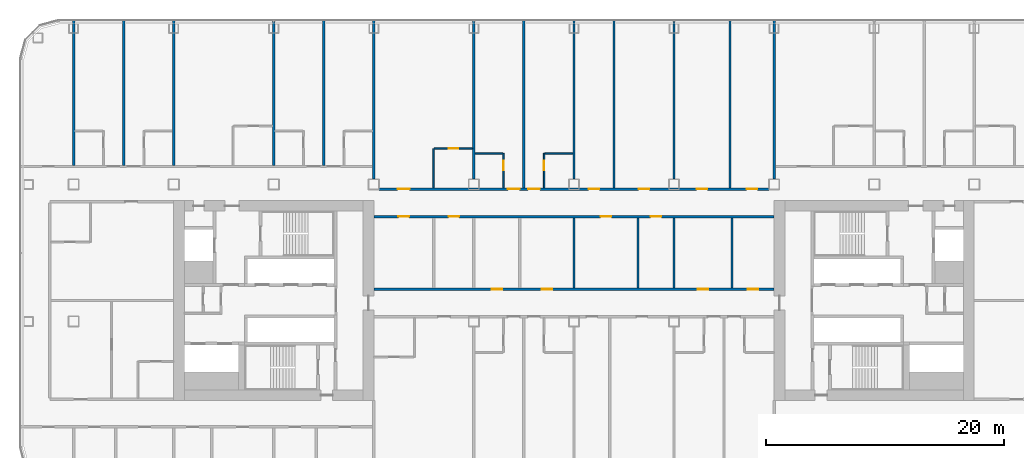
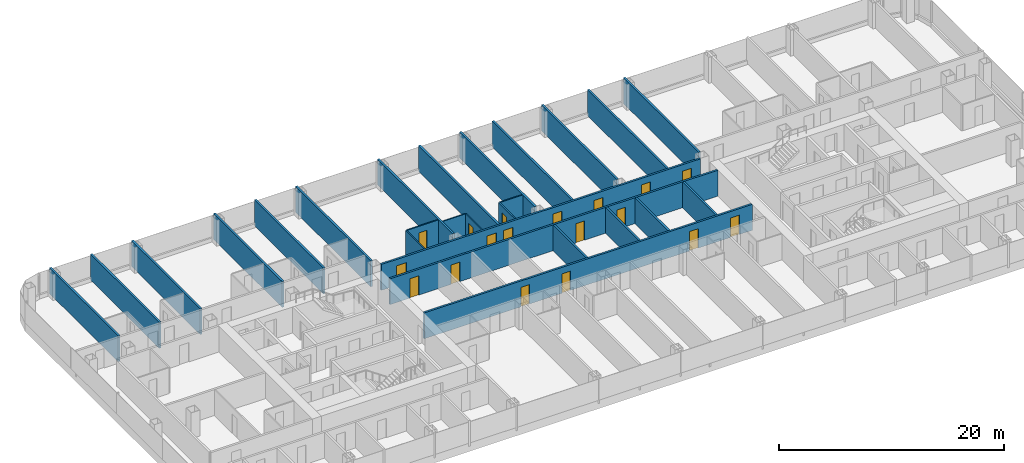
# One storey, part 18 of 29: 26 walls, 18 doors, 18 openings.
"""IFC4 building model written with IfcOpenShell, lengths in metres."""

from ifc_helpers import new_model, si_unit, direction, frame, frame_2d, origin, place, context, subcontext, project, spatial, rectangle, extrude, material, layer, layer_set, type_object, element, fill, save


model = new_model("IFC4")

# Units and contexts
model_context = context("Model", 3, precision=1e-05, world=origin(), true_north=direction((0.0, 1.0)))
body_context = subcontext(model_context, "Body", "Model", "MODEL_VIEW")
ifc_project = project(units=[si_unit("LENGTHUNIT", "METRE"), si_unit("AREAUNIT", "SQUARE_METRE"), si_unit("VOLUMEUNIT", "CUBIC_METRE"), si_unit("PLANEANGLEUNIT", "RADIAN"), si_unit("MASSUNIT", "GRAM", prefix="KILO")], contexts=[model_context])

# Site, building, storey
site_placement = place(None, origin())
site = spatial("IfcSite", under=ifc_project, at=site_placement, CompositionType="ELEMENT")
building_placement = place(site_placement, origin())
building = spatial("IfcBuilding", under=site, at=building_placement, Name="Hakoniwa Tower and Hamabe Station Hall", CompositionType="ELEMENT")
storey_placement = place(building_placement, frame((0.0, 0.0, 97.800048828125)))
storey = spatial("IfcBuildingStorey", under=building, at=storey_placement, Name="L27", CompositionType="ELEMENT", Elevation=97.800048828125)

# Walls
ifc_material_1 = material(Name="Gypsum board partition", Category="gypsum")
ifc_layer_1 = layer(ifc_material_1, 0.125)
ifc_layer_set_1 = layer_set([ifc_layer_1], Name="Bathroom Partition 125")
wall_type_1 = type_object("IfcWallType", Name="Bathroom Partition 125", PredefinedType="PARTITIONING", material=ifc_layer_set_1)
wall_1_placement = place(storey_placement, frame((-8.300048828125, 12.35009765625, 0.0), z_axis=(0.0, 0.0, 1.0), x_axis=(1.0, 0.0, 0.0)))
element("IfcWall", 1, at=wall_1_placement, inside=storey, type_object=wall_type_1, Name="GW-L27-024", PredefinedType="PARTITIONING", context=body_context, shape_type="SweptSolid", body=[
    extrude(rectangle(XDim=2.337646484375, YDim=0.125, at=frame_2d((1.1689453125, 0.0))), origin(), (0.0, 0.0, 1.0), 2.800048828125),
])
wall_2_placement = place(storey_placement, frame((-2.4375, 12.35009765625, 0.0), z_axis=(0.0, 0.0, 1.0), x_axis=(1.0, 0.0, 0.0)))
element("IfcWall", 2, at=wall_2_placement, inside=storey, type_object=wall_type_1, Name="GW-L27-025", PredefinedType="PARTITIONING", context=body_context, shape_type="SweptSolid", body=[
    extrude(rectangle(XDim=2.33740234375, YDim=0.125, at=frame_2d((1.168701171875, 0.0))), origin(), (0.0, 0.0, 1.0), 2.800048828125),
])

# Wall, opening, door
wall_3_placement = place(storey_placement, frame((-11.737548828125, 12.75, 0.0), z_axis=(0.0, 0.0, 1.0), x_axis=(1.0, 0.0, 0.0)))
wall_3 = element("IfcWall", 3, at=wall_3_placement, inside=storey, type_object=wall_type_1, Name="GW-L27-026", PredefinedType="PARTITIONING", context=body_context, shape_type="SweptSolid", body=[
    extrude(rectangle(XDim=3.237548828125, YDim=0.125, at=frame_2d((1.61865234375, 0.0))), origin(), (0.0, 0.0, 1.0), 2.800048828125),
])
opening_1_placement = place(wall_3_placement, frame((1.237548828125, 0.0, 0.0)))
opening_1 = element("IfcOpeningElement", 4, at=opening_1_placement, cuts=wall_3, Name="Opening GD-G2C1-57", PredefinedType="OPENING", context=body_context, shape_type="SweptSolid", body=[
    extrude(rectangle(XDim=0.800048828125, YDim=2.10009765625, at=frame_2d((0.39990234375, 1.050048828125))), frame((0.0, 0.072509765625, 0.0), z_axis=(0.0, -1.0, 0.0), x_axis=(1.0, 0.0, 0.0)), (0.0, 0.0, 1.0), 0.14501953125),
])
ifc_material_2 = material(Name="Timber door leaf", Category="wood")
door_type_1 = type_object("IfcDoorType", Name="Bathroom Door 800", OperationType="SINGLE_SWING_LEFT", PredefinedType="DOOR", material=ifc_material_2)
door_1_placement = place(opening_1_placement, origin())
door_1 = element("IfcDoor", 5, at=door_1_placement, inside=storey, type_object=door_type_1, Name="Door GD-G2C1-57", OperationType="SINGLE_SWING_RIGHT", OverallHeight=2.10009765625, OverallWidth=0.800048828125, PredefinedType="DOOR", context=body_context, shape_type="SweptSolid", body=[
    extrude(rectangle(XDim=0.800048828125, YDim=2.10009765625, at=frame_2d((0.39990234375, 1.050048828125))), frame((0.0, 0.02490234375, 0.0), z_axis=(0.0, -1.0, 0.0), x_axis=(1.0, 0.0, 0.0)), (0.0, 0.0, 1.0), 0.050048828125),
])
fill(opening_1, door_1)

# Wall
wall_4_placement = place(storey_placement, frame((-11.800048828125, 9.449951171875, 0.0), z_axis=(0.0, 0.0, 1.0), x_axis=(0.0, 1.0, 0.0)))
element("IfcWall", 6, at=wall_4_placement, inside=storey, type_object=wall_type_1, Name="GW-L27-059", PredefinedType="PARTITIONING", context=body_context, shape_type="SweptSolid", body=[
    extrude(rectangle(XDim=3.300048828125, YDim=0.125, at=frame_2d((1.64990234375, 0.0))), origin(), (0.0, 0.0, 1.0), 2.800048828125),
])

# Wall, opening, door
wall_5_placement = place(storey_placement, frame((-5.89990234375, 9.449951171875, 0.0), z_axis=(0.0, 0.0, 1.0), x_axis=(0.0, 1.0, 0.0)))
wall_5 = element("IfcWall", 7, at=wall_5_placement, inside=storey, type_object=wall_type_1, Name="GW-L27-065", PredefinedType="PARTITIONING", context=body_context, shape_type="SweptSolid", body=[
    extrude(rectangle(XDim=2.900146484375, YDim=0.125, at=frame_2d((1.4501953125, 0.0))), origin(), (0.0, 0.0, 1.0), 2.800048828125),
])
opening_2_placement = place(wall_5_placement, frame((1.5, 0.0, 0.0)))
opening_2 = element("IfcOpeningElement", 8, at=opening_2_placement, cuts=wall_5, Name="Opening GD-G2C1-67", PredefinedType="OPENING", context=body_context, shape_type="SweptSolid", body=[
    extrude(rectangle(XDim=0.800048828125, YDim=2.10009765625, at=frame_2d((0.39990234375, 1.050048828125))), frame((0.0, 0.072509765625, 0.0), z_axis=(0.0, -1.0, 0.0), x_axis=(1.0, 0.0, 0.0)), (0.0, 0.0, 1.0), 0.14501953125),
])
door_2_placement = place(opening_2_placement, origin())
door_2 = element("IfcDoor", 9, at=door_2_placement, inside=storey, type_object=door_type_1, Name="Door GD-G2C1-67", OperationType="SINGLE_SWING_LEFT", OverallHeight=2.10009765625, OverallWidth=0.800048828125, PredefinedType="DOOR", context=body_context, shape_type="SweptSolid", body=[
    extrude(rectangle(XDim=0.800048828125, YDim=2.10009765625, at=frame_2d((0.39990234375, 1.050048828125))), frame((0.0, 0.02490234375, 0.0), z_axis=(0.0, -1.0, 0.0), x_axis=(1.0, 0.0, 0.0)), (0.0, 0.0, 1.0), 0.050048828125),
])
fill(opening_2, door_2)

wall_6_placement = place(storey_placement, frame((-2.5, 9.449951171875, 0.0), z_axis=(0.0, 0.0, 1.0), x_axis=(0.0, 1.0, 0.0)))
wall_6 = element("IfcWall", 10, at=wall_6_placement, inside=storey, type_object=wall_type_1, Name="GW-L27-070", PredefinedType="PARTITIONING", context=body_context, shape_type="SweptSolid", body=[
    extrude(rectangle(XDim=2.900146484375, YDim=0.125, at=frame_2d((1.4501953125, 0.0))), origin(), (0.0, 0.0, 1.0), 2.800048828125),
])
opening_3_placement = place(wall_6_placement, frame((1.5, 0.0, 0.0)))
opening_3 = element("IfcOpeningElement", 11, at=opening_3_placement, cuts=wall_6, Name="Opening GD-G2C1-69", PredefinedType="OPENING", context=body_context, shape_type="SweptSolid", body=[
    extrude(rectangle(XDim=0.800048828125, YDim=2.10009765625, at=frame_2d((0.39990234375, 1.050048828125))), frame((0.0, 0.072509765625, 0.0), z_axis=(0.0, -1.0, 0.0), x_axis=(1.0, 0.0, 0.0)), (0.0, 0.0, 1.0), 0.14501953125),
])
door_3_placement = place(opening_3_placement, origin())
door_3 = element("IfcDoor", 12, at=door_3_placement, inside=storey, type_object=door_type_1, Name="Door GD-G2C1-69", OperationType="SINGLE_SWING_RIGHT", OverallHeight=2.10009765625, OverallWidth=0.800048828125, PredefinedType="DOOR", context=body_context, shape_type="SweptSolid", body=[
    extrude(rectangle(XDim=0.800048828125, YDim=2.10009765625, at=frame_2d((0.39990234375, 1.050048828125))), frame((0.0, 0.02490234375, 0.0), z_axis=(0.0, -1.0, 0.0), x_axis=(1.0, 0.0, 0.0)), (0.0, 0.0, 1.0), 0.050048828125),
])
fill(opening_3, door_3)

# Wall, openings, doors
ifc_material_3 = material(Name="Fire-rated gypsum board partition", Category="gypsum")
ifc_layer_2 = layer(ifc_material_3, 0.199951171875)
ifc_layer_set_2 = layer_set([ifc_layer_2], Name="Corridor Wall 200")
wall_type_2 = type_object("IfcWallType", Name="Corridor Wall 200", PredefinedType="PARTITIONING", material=ifc_layer_set_2)
wall_7_placement = place(storey_placement, frame((-16.800048828125, 0.949951171875, 0.0), z_axis=(0.0, 0.0, 1.0), x_axis=(1.0, 0.0, 0.0)))
wall_7 = element("IfcWall", 13, at=wall_7_placement, inside=storey, type_object=wall_type_2, Name="GW-L27-015", PredefinedType="PARTITIONING", context=body_context, shape_type="SweptSolid", body=[
    extrude(rectangle(XDim=33.60009765625, YDim=0.199951171875, at=frame_2d((16.800048828125, 0.0))), origin(), (0.0, 0.0, 1.0), 2.800048828125),
])
opening_4_placement = place(wall_7_placement, frame((9.8798828125, 0.0, 0.0)))
opening_4 = element("IfcOpeningElement", 14, at=opening_4_placement, cuts=wall_7, Name="Opening GD-G2C1-27", PredefinedType="OPENING", context=body_context, shape_type="SweptSolid", body=[
    extrude(rectangle(XDim=0.89990234375, YDim=2.10009765625, at=frame_2d((0.449951171875, 1.050048828125))), frame((0.0, 0.10986328125, 0.0), z_axis=(0.0, -1.0, 0.0), x_axis=(1.0, 0.0, 0.0)), (0.0, 0.0, 1.0), 0.219970703125),
])
opening_5_placement = place(wall_7_placement, frame((14.080078125, 0.0, 0.0)))
opening_5 = element("IfcOpeningElement", 15, at=opening_5_placement, cuts=wall_7, Name="Opening GD-G2C1-28", PredefinedType="OPENING", context=body_context, shape_type="SweptSolid", body=[
    extrude(rectangle(XDim=0.89990234375, YDim=2.10009765625, at=frame_2d((0.449951171875, 1.050048828125))), frame((0.0, 0.10986328125, 0.0), z_axis=(0.0, -1.0, 0.0), x_axis=(1.0, 0.0, 0.0)), (0.0, 0.0, 1.0), 0.219970703125),
])
opening_6_placement = place(wall_7_placement, frame((27.18505859375, 0.0, 0.0)))
opening_6 = element("IfcOpeningElement", 16, at=opening_6_placement, cuts=wall_7, Name="Opening GD-G2C1-29", PredefinedType="OPENING", context=body_context, shape_type="SweptSolid", body=[
    extrude(rectangle(XDim=0.89990234375, YDim=2.10009765625, at=frame_2d((0.449951171875, 1.050048828125))), frame((0.0, 0.10986328125, 0.0), z_axis=(0.0, -1.0, 0.0), x_axis=(1.0, 0.0, 0.0)), (0.0, 0.0, 1.0), 0.219970703125),
])
opening_7_placement = place(wall_7_placement, frame((31.385009765625, 0.0, 0.0)))
opening_7 = element("IfcOpeningElement", 17, at=opening_7_placement, cuts=wall_7, Name="Opening GD-G2C1-30", PredefinedType="OPENING", context=body_context, shape_type="SweptSolid", body=[
    extrude(rectangle(XDim=0.89990234375, YDim=2.10009765625, at=frame_2d((0.449951171875, 1.050048828125))), frame((0.0, 0.10986328125, 0.0), z_axis=(0.0, -1.0, 0.0), x_axis=(1.0, 0.0, 0.0)), (0.0, 0.0, 1.0), 0.219970703125),
])
ifc_material_4 = material(Name="Timber door leaf", Category="wood")
door_type_2 = type_object("IfcDoorType", Name="Service Door 900", OperationType="SINGLE_SWING_LEFT", PredefinedType="DOOR", material=ifc_material_4)
door_4_placement = place(opening_4_placement, origin())
door_4 = element("IfcDoor", 18, at=door_4_placement, inside=storey, type_object=door_type_2, Name="Door GD-G2C1-27", OperationType="SINGLE_SWING_RIGHT", OverallHeight=2.10009765625, OverallWidth=0.89990234375, PredefinedType="DOOR", context=body_context, shape_type="SweptSolid", body=[
    extrude(rectangle(XDim=0.89990234375, YDim=2.10009765625, at=frame_2d((0.449951171875, 1.050048828125))), frame((0.0, 0.02490234375, 0.0), z_axis=(0.0, -1.0, 0.0), x_axis=(1.0, 0.0, 0.0)), (0.0, 0.0, 1.0), 0.050048828125),
])
fill(opening_4, door_4)
door_5_placement = place(opening_5_placement, origin())
door_5 = element("IfcDoor", 19, at=door_5_placement, inside=storey, type_object=door_type_2, Name="Door GD-G2C1-28", OperationType="SINGLE_SWING_LEFT", OverallHeight=2.10009765625, OverallWidth=0.89990234375, PredefinedType="DOOR", context=body_context, shape_type="SweptSolid", body=[
    extrude(rectangle(XDim=0.89990234375, YDim=2.10009765625, at=frame_2d((0.449951171875, 1.050048828125))), frame((0.0, 0.02490234375, 0.0), z_axis=(0.0, -1.0, 0.0), x_axis=(1.0, 0.0, 0.0)), (0.0, 0.0, 1.0), 0.050048828125),
])
fill(opening_5, door_5)
door_6_placement = place(opening_6_placement, origin())
door_6 = element("IfcDoor", 20, at=door_6_placement, inside=storey, type_object=door_type_2, Name="Door GD-G2C1-29", OperationType="SINGLE_SWING_RIGHT", OverallHeight=2.10009765625, OverallWidth=0.89990234375, PredefinedType="DOOR", context=body_context, shape_type="SweptSolid", body=[
    extrude(rectangle(XDim=0.89990234375, YDim=2.10009765625, at=frame_2d((0.449951171875, 1.050048828125))), frame((0.0, 0.02490234375, 0.0), z_axis=(0.0, -1.0, 0.0), x_axis=(1.0, 0.0, 0.0)), (0.0, 0.0, 1.0), 0.050048828125),
])
fill(opening_6, door_6)
door_7_placement = place(opening_7_placement, origin())
door_7 = element("IfcDoor", 21, at=door_7_placement, inside=storey, type_object=door_type_2, Name="Door GD-G2C1-30", OperationType="SINGLE_SWING_RIGHT", OverallHeight=2.10009765625, OverallWidth=0.89990234375, PredefinedType="DOOR", context=body_context, shape_type="SweptSolid", body=[
    extrude(rectangle(XDim=0.89990234375, YDim=2.10009765625, at=frame_2d((0.449951171875, 1.050048828125))), frame((0.0, 0.02490234375, 0.0), z_axis=(0.0, -1.0, 0.0), x_axis=(1.0, 0.0, 0.0)), (0.0, 0.0, 1.0), 0.050048828125),
])
fill(opening_7, door_7)

wall_8_placement = place(storey_placement, frame((-16.800048828125, 7.050048828125, 0.0), z_axis=(0.0, 0.0, 1.0), x_axis=(1.0, 0.0, 0.0)))
wall_8 = element("IfcWall", 22, at=wall_8_placement, inside=storey, type_object=wall_type_2, Name="GW-L27-018", PredefinedType="PARTITIONING", context=body_context, shape_type="SweptSolid", body=[
    extrude(rectangle(XDim=33.60009765625, YDim=0.199951171875, at=frame_2d((16.800048828125, 0.0))), origin(), (0.0, 0.0, 1.0), 2.800048828125),
])
opening_8_placement = place(wall_8_placement, frame((2.070068359375, 0.0, 0.0)))
opening_8 = element("IfcOpeningElement", 23, at=opening_8_placement, cuts=wall_8, Name="Opening GD-G2C1-33", PredefinedType="OPENING", context=body_context, shape_type="SweptSolid", body=[
    extrude(rectangle(XDim=0.89990234375, YDim=2.10009765625, at=frame_2d((0.449951171875, 1.050048828125))), frame((0.0, 0.10986328125, 0.0), z_axis=(0.0, -1.0, 0.0), x_axis=(1.0, 0.0, 0.0)), (0.0, 0.0, 1.0), 0.219970703125),
])
opening_9_placement = place(wall_8_placement, frame((6.27001953125, 0.0, 0.0)))
opening_9 = element("IfcOpeningElement", 24, at=opening_9_placement, cuts=wall_8, Name="Opening GD-G2C1-34", PredefinedType="OPENING", context=body_context, shape_type="SweptSolid", body=[
    extrude(rectangle(XDim=0.89990234375, YDim=2.10009765625, at=frame_2d((0.449951171875, 1.050048828125))), frame((0.0, 0.10986328125, 0.0), z_axis=(0.0, -1.0, 0.0), x_axis=(1.0, 0.0, 0.0)), (0.0, 0.0, 1.0), 0.219970703125),
])
opening_10_placement = place(wall_8_placement, frame((19.0400390625, 0.0, 0.0)))
opening_10 = element("IfcOpeningElement", 25, at=opening_10_placement, cuts=wall_8, Name="Opening GD-G2C1-35", PredefinedType="OPENING", context=body_context, shape_type="SweptSolid", body=[
    extrude(rectangle(XDim=0.89990234375, YDim=2.10009765625, at=frame_2d((0.449951171875, 1.050048828125))), frame((0.0, 0.10986328125, 0.0), z_axis=(0.0, -1.0, 0.0), x_axis=(1.0, 0.0, 0.0)), (0.0, 0.0, 1.0), 0.219970703125),
])
opening_11_placement = place(wall_8_placement, frame((23.239990234375, 0.0, 0.0)))
opening_11 = element("IfcOpeningElement", 26, at=opening_11_placement, cuts=wall_8, Name="Opening GD-G2C1-36", PredefinedType="OPENING", context=body_context, shape_type="SweptSolid", body=[
    extrude(rectangle(XDim=0.89990234375, YDim=2.10009765625, at=frame_2d((0.449951171875, 1.050048828125))), frame((0.0, 0.10986328125, 0.0), z_axis=(0.0, -1.0, 0.0), x_axis=(1.0, 0.0, 0.0)), (0.0, 0.0, 1.0), 0.219970703125),
])
door_8_placement = place(opening_8_placement, origin())
door_8 = element("IfcDoor", 27, at=door_8_placement, inside=storey, type_object=door_type_2, Name="Door GD-G2C1-33", OperationType="SINGLE_SWING_RIGHT", OverallHeight=2.10009765625, OverallWidth=0.89990234375, PredefinedType="DOOR", context=body_context, shape_type="SweptSolid", body=[
    extrude(rectangle(XDim=0.89990234375, YDim=2.10009765625, at=frame_2d((0.449951171875, 1.050048828125))), frame((0.0, 0.02490234375, 0.0), z_axis=(0.0, -1.0, 0.0), x_axis=(1.0, 0.0, 0.0)), (0.0, 0.0, 1.0), 0.050048828125),
])
fill(opening_8, door_8)
door_9_placement = place(opening_9_placement, origin())
door_9 = element("IfcDoor", 28, at=door_9_placement, inside=storey, type_object=door_type_2, Name="Door GD-G2C1-34", OperationType="SINGLE_SWING_LEFT", OverallHeight=2.10009765625, OverallWidth=0.89990234375, PredefinedType="DOOR", context=body_context, shape_type="SweptSolid", body=[
    extrude(rectangle(XDim=0.89990234375, YDim=2.10009765625, at=frame_2d((0.449951171875, 1.050048828125))), frame((0.0, 0.02490234375, 0.0), z_axis=(0.0, -1.0, 0.0), x_axis=(1.0, 0.0, 0.0)), (0.0, 0.0, 1.0), 0.050048828125),
])
fill(opening_9, door_9)
door_10_placement = place(opening_10_placement, origin())
door_10 = element("IfcDoor", 29, at=door_10_placement, inside=storey, type_object=door_type_2, Name="Door GD-G2C1-35", OperationType="SINGLE_SWING_RIGHT", OverallHeight=2.10009765625, OverallWidth=0.89990234375, PredefinedType="DOOR", context=body_context, shape_type="SweptSolid", body=[
    extrude(rectangle(XDim=0.89990234375, YDim=2.10009765625, at=frame_2d((0.449951171875, 1.050048828125))), frame((0.0, 0.02490234375, 0.0), z_axis=(0.0, -1.0, 0.0), x_axis=(1.0, 0.0, 0.0)), (0.0, 0.0, 1.0), 0.050048828125),
])
fill(opening_10, door_10)
door_11_placement = place(opening_11_placement, origin())
door_11 = element("IfcDoor", 30, at=door_11_placement, inside=storey, type_object=door_type_2, Name="Door GD-G2C1-36", OperationType="SINGLE_SWING_LEFT", OverallHeight=2.10009765625, OverallWidth=0.89990234375, PredefinedType="DOOR", context=body_context, shape_type="SweptSolid", body=[
    extrude(rectangle(XDim=0.89990234375, YDim=2.10009765625, at=frame_2d((0.449951171875, 1.050048828125))), frame((0.0, 0.02490234375, 0.0), z_axis=(0.0, -1.0, 0.0), x_axis=(1.0, 0.0, 0.0)), (0.0, 0.0, 1.0), 0.050048828125),
])
fill(opening_11, door_11)

wall_9_placement = place(storey_placement, frame((-16.360107421875, 9.35009765625, 0.0), z_axis=(0.0, 0.0, 1.0), x_axis=(1.0, 0.0, 0.0)))
wall_9 = element("IfcWall", 31, at=wall_9_placement, inside=storey, type_object=wall_type_2, Name="GW-L27-021", PredefinedType="PARTITIONING", context=body_context, shape_type="SweptSolid", body=[
    extrude(rectangle(XDim=32.72021484375, YDim=0.199951171875, at=frame_2d((16.360107421875, 0.0))), origin(), (0.0, 0.0, 1.0), 2.800048828125),
])
opening_12_placement = place(wall_9_placement, frame((1.56005859375, 0.0, 0.0)))
opening_12 = element("IfcOpeningElement", 32, at=opening_12_placement, cuts=wall_9, Name="Opening GD-G2C1-39", PredefinedType="OPENING", context=body_context, shape_type="SweptSolid", body=[
    extrude(rectangle(XDim=1.0, YDim=2.10009765625, at=frame_2d((0.5, 1.050048828125))), frame((0.0, 0.10986328125, 0.0), z_axis=(0.0, -1.0, 0.0), x_axis=(1.0, 0.0, 0.0)), (0.0, 0.0, 1.0), 0.219970703125),
])
opening_13_placement = place(wall_9_placement, frame((10.81005859375, 0.0, 0.0)))
opening_13 = element("IfcOpeningElement", 33, at=opening_13_placement, cuts=wall_9, Name="Opening GD-G2C1-40", PredefinedType="OPENING", context=body_context, shape_type="SweptSolid", body=[
    extrude(rectangle(XDim=1.0, YDim=2.10009765625, at=frame_2d((0.5, 1.050048828125))), frame((0.0, 0.10986328125, 0.0), z_axis=(0.0, -1.0, 0.0), x_axis=(1.0, 0.0, 0.0)), (0.0, 0.0, 1.0), 0.219970703125),
])
opening_14_placement = place(wall_9_placement, frame((12.510009765625, 0.0, 0.0)))
opening_14 = element("IfcOpeningElement", 34, at=opening_14_placement, cuts=wall_9, Name="Opening GD-G2C1-41", PredefinedType="OPENING", context=body_context, shape_type="SweptSolid", body=[
    extrude(rectangle(XDim=1.0, YDim=2.10009765625, at=frame_2d((0.5, 1.050048828125))), frame((0.0, 0.10986328125, 0.0), z_axis=(0.0, -1.0, 0.0), x_axis=(1.0, 0.0, 0.0)), (0.0, 0.0, 1.0), 0.219970703125),
])
opening_15_placement = place(wall_9_placement, frame((17.590087890625, 0.0, 0.0)))
opening_15 = element("IfcOpeningElement", 35, at=opening_15_placement, cuts=wall_9, Name="Opening GD-G2C1-42", PredefinedType="OPENING", context=body_context, shape_type="SweptSolid", body=[
    extrude(rectangle(XDim=0.89990234375, YDim=2.10009765625, at=frame_2d((0.449951171875, 1.050048828125))), frame((0.0, 0.10986328125, 0.0), z_axis=(0.0, -1.0, 0.0), x_axis=(1.0, 0.0, 0.0)), (0.0, 0.0, 1.0), 0.219970703125),
])
opening_16_placement = place(wall_9_placement, frame((21.7900390625, 0.0, 0.0)))
opening_16 = element("IfcOpeningElement", 36, at=opening_16_placement, cuts=wall_9, Name="Opening GD-G2C1-43", PredefinedType="OPENING", context=body_context, shape_type="SweptSolid", body=[
    extrude(rectangle(XDim=0.89990234375, YDim=2.10009765625, at=frame_2d((0.449951171875, 1.050048828125))), frame((0.0, 0.10986328125, 0.0), z_axis=(0.0, -1.0, 0.0), x_axis=(1.0, 0.0, 0.0)), (0.0, 0.0, 1.0), 0.219970703125),
])
opening_17_placement = place(wall_9_placement, frame((26.659912109375, 0.0, 0.0)))
opening_17 = element("IfcOpeningElement", 37, at=opening_17_placement, cuts=wall_9, Name="Opening GD-G2C1-44", PredefinedType="OPENING", context=body_context, shape_type="SweptSolid", body=[
    extrude(rectangle(XDim=0.89990234375, YDim=2.10009765625, at=frame_2d((0.449951171875, 1.050048828125))), frame((0.0, 0.10986328125, 0.0), z_axis=(0.0, -1.0, 0.0), x_axis=(1.0, 0.0, 0.0)), (0.0, 0.0, 1.0), 0.219970703125),
])
opening_18_placement = place(wall_9_placement, frame((30.860107421875, 0.0, 0.0)))
opening_18 = element("IfcOpeningElement", 38, at=opening_18_placement, cuts=wall_9, Name="Opening GD-G2C1-45", PredefinedType="OPENING", context=body_context, shape_type="SweptSolid", body=[
    extrude(rectangle(XDim=0.89990234375, YDim=2.10009765625, at=frame_2d((0.449951171875, 1.050048828125))), frame((0.0, 0.10986328125, 0.0), z_axis=(0.0, -1.0, 0.0), x_axis=(1.0, 0.0, 0.0)), (0.0, 0.0, 1.0), 0.219970703125),
])
ifc_material_5 = material(Name="Timber door leaf", Category="wood")
door_type_3 = type_object("IfcDoorType", Name="Guest Entrance Door 1000", OperationType="SINGLE_SWING_LEFT", PredefinedType="DOOR", material=ifc_material_5)
door_12_placement = place(opening_12_placement, origin())
door_12 = element("IfcDoor", 39, at=door_12_placement, inside=storey, type_object=door_type_3, Name="Door GD-G2C1-39", OperationType="SINGLE_SWING_LEFT", OverallHeight=2.10009765625, OverallWidth=1.0, PredefinedType="DOOR", context=body_context, shape_type="SweptSolid", body=[
    extrude(rectangle(XDim=1.0, YDim=2.10009765625, at=frame_2d((0.5, 1.050048828125))), frame((0.0, 0.02490234375, 0.0), z_axis=(0.0, -1.0, 0.0), x_axis=(1.0, 0.0, 0.0)), (0.0, 0.0, 1.0), 0.050048828125),
])
fill(opening_12, door_12)
door_13_placement = place(opening_13_placement, origin())
door_13 = element("IfcDoor", 40, at=door_13_placement, inside=storey, type_object=door_type_3, Name="Door GD-G2C1-40", OperationType="SINGLE_SWING_LEFT", OverallHeight=2.10009765625, OverallWidth=1.0, PredefinedType="DOOR", context=body_context, shape_type="SweptSolid", body=[
    extrude(rectangle(XDim=1.0, YDim=2.10009765625, at=frame_2d((0.5, 1.050048828125))), frame((0.0, 0.02490234375, 0.0), z_axis=(0.0, -1.0, 0.0), x_axis=(1.0, 0.0, 0.0)), (0.0, 0.0, 1.0), 0.050048828125),
])
fill(opening_13, door_13)
door_14_placement = place(opening_14_placement, origin())
door_14 = element("IfcDoor", 41, at=door_14_placement, inside=storey, type_object=door_type_3, Name="Door GD-G2C1-41", OperationType="SINGLE_SWING_RIGHT", OverallHeight=2.10009765625, OverallWidth=1.0, PredefinedType="DOOR", context=body_context, shape_type="SweptSolid", body=[
    extrude(rectangle(XDim=1.0, YDim=2.10009765625, at=frame_2d((0.5, 1.050048828125))), frame((0.0, 0.02490234375, 0.0), z_axis=(0.0, -1.0, 0.0), x_axis=(1.0, 0.0, 0.0)), (0.0, 0.0, 1.0), 0.050048828125),
])
fill(opening_14, door_14)
door_15_placement = place(opening_15_placement, origin())
door_15 = element("IfcDoor", 42, at=door_15_placement, inside=storey, type_object=door_type_2, Name="Door GD-G2C1-42", OperationType="SINGLE_SWING_LEFT", OverallHeight=2.10009765625, OverallWidth=0.89990234375, PredefinedType="DOOR", context=body_context, shape_type="SweptSolid", body=[
    extrude(rectangle(XDim=0.89990234375, YDim=2.10009765625, at=frame_2d((0.449951171875, 1.050048828125))), frame((0.0, 0.02490234375, 0.0), z_axis=(0.0, -1.0, 0.0), x_axis=(1.0, 0.0, 0.0)), (0.0, 0.0, 1.0), 0.050048828125),
])
fill(opening_15, door_15)
door_16_placement = place(opening_16_placement, origin())
door_16 = element("IfcDoor", 43, at=door_16_placement, inside=storey, type_object=door_type_2, Name="Door GD-G2C1-43", OperationType="SINGLE_SWING_RIGHT", OverallHeight=2.10009765625, OverallWidth=0.89990234375, PredefinedType="DOOR", context=body_context, shape_type="SweptSolid", body=[
    extrude(rectangle(XDim=0.89990234375, YDim=2.10009765625, at=frame_2d((0.449951171875, 1.050048828125))), frame((0.0, 0.02490234375, 0.0), z_axis=(0.0, -1.0, 0.0), x_axis=(1.0, 0.0, 0.0)), (0.0, 0.0, 1.0), 0.050048828125),
])
fill(opening_16, door_16)
door_17_placement = place(opening_17_placement, origin())
door_17 = element("IfcDoor", 44, at=door_17_placement, inside=storey, type_object=door_type_2, Name="Door GD-G2C1-44", OperationType="SINGLE_SWING_LEFT", OverallHeight=2.10009765625, OverallWidth=0.89990234375, PredefinedType="DOOR", context=body_context, shape_type="SweptSolid", body=[
    extrude(rectangle(XDim=0.89990234375, YDim=2.10009765625, at=frame_2d((0.449951171875, 1.050048828125))), frame((0.0, 0.02490234375, 0.0), z_axis=(0.0, -1.0, 0.0), x_axis=(1.0, 0.0, 0.0)), (0.0, 0.0, 1.0), 0.050048828125),
])
fill(opening_17, door_17)
door_18_placement = place(opening_18_placement, origin())
door_18 = element("IfcDoor", 45, at=door_18_placement, inside=storey, type_object=door_type_2, Name="Door GD-G2C1-45", OperationType="SINGLE_SWING_RIGHT", OverallHeight=2.10009765625, OverallWidth=0.89990234375, PredefinedType="DOOR", context=body_context, shape_type="SweptSolid", body=[
    extrude(rectangle(XDim=0.89990234375, YDim=2.10009765625, at=frame_2d((0.449951171875, 1.050048828125))), frame((0.0, 0.02490234375, 0.0), z_axis=(0.0, -1.0, 0.0), x_axis=(1.0, 0.0, 0.0)), (0.0, 0.0, 1.0), 0.050048828125),
])
fill(opening_18, door_18)

# Walls
ifc_material_6 = material(Name="Fire-rated gypsum board partition", Category="gypsum")
ifc_layer_3 = layer(ifc_material_6, 0.199951171875)
ifc_layer_set_3 = layer_set([ifc_layer_3], Name="Party Wall 200")
wall_type_3 = type_object("IfcWallType", Name="Party Wall 200", PredefinedType="PARTITIONING", material=ifc_layer_set_3)
for number, where, z_axis, x_axis, name in (
    (46, (-42.0, 11.35009765625, 0.0), (0.0, 0.0, 1.0), (0.0, 1.0, 0.0), "GW-L27-038"),
    (47, (-37.800048828125, 11.35009765625, 0.0), (0.0, 0.0, 1.0), (0.0, 1.0, 0.0), "GW-L27-043"),
    (48, (-33.60009765625, 11.35009765625, 0.0), (0.0, 0.0, 1.0), (0.0, 1.0, 0.0), "GW-L27-047"),
    (49, (-25.199951171875, 11.35009765625, 0.0), (0.0, 0.0, 1.0), (0.0, 1.0, 0.0), "GW-L27-051"),
    (50, (-21.0, 11.35009765625, 0.0), (0.0, 0.0, 1.0), (0.0, 1.0, 0.0), "GW-L27-054"),
):
    element("IfcWall", number, at=place(storey_placement, frame(where, z_axis=z_axis, x_axis=x_axis)), inside=storey, type_object=wall_type_3, Name=name, PredefinedType="PARTITIONING", context=body_context, shape_type="SweptSolid", body=[
        extrude(rectangle(XDim=12.199951171875, YDim=0.199951171875, at=frame_2d((6.10009765625, 0.0))), origin(), (0.0, 0.0, 1.0), 2.800048828125),
    ])
for number, where, z_axis, x_axis, name in (
    (51, (-16.800048828125, 10.18994140625, 0.0), (0.0, 0.0, 1.0), (0.0, 1.0, 0.0), "GW-L27-057"),
    (52, (-8.39990234375, 10.18994140625, 0.0), (0.0, 0.0, 1.0), (0.0, 1.0, 0.0), "GW-L27-063"),
):
    element("IfcWall", number, at=place(storey_placement, frame(where, z_axis=z_axis, x_axis=x_axis)), inside=storey, type_object=wall_type_3, Name=name, PredefinedType="PARTITIONING", context=body_context, shape_type="SweptSolid", body=[
        extrude(rectangle(XDim=13.360107421875, YDim=0.199951171875, at=frame_2d((6.68017578125, 0.0))), origin(), (0.0, 0.0, 1.0), 2.800048828125),
    ])
wall_10_placement = place(storey_placement, frame((-4.199951171875, 9.449951171875, 0.0), z_axis=(0.0, 0.0, 1.0), x_axis=(0.0, 1.0, 0.0)))
element("IfcWall", 53, at=wall_10_placement, inside=storey, type_object=wall_type_3, Name="GW-L27-068", PredefinedType="PARTITIONING", context=body_context, shape_type="SweptSolid", body=[
    extrude(rectangle(XDim=14.10009765625, YDim=0.199951171875, at=frame_2d((7.050048828125, 0.0))), origin(), (0.0, 0.0, 1.0), 2.800048828125),
])
wall_11_placement = place(storey_placement, frame((0.0, 1.050048828125, 0.0), z_axis=(0.0, 0.0, 1.0), x_axis=(0.0, 1.0, 0.0)))
element("IfcWall", 54, at=wall_11_placement, inside=storey, type_object=wall_type_3, Name="GW-L27-072", PredefinedType="PARTITIONING", context=body_context, shape_type="SweptSolid", body=[
    extrude(rectangle(XDim=5.89990234375, YDim=0.199951171875, at=frame_2d((2.949951171875, 0.0))), origin(), (0.0, 0.0, 1.0), 2.800048828125),
])
wall_12_placement = place(storey_placement, frame((0.0, 10.18994140625, 0.0), z_axis=(0.0, 0.0, 1.0), x_axis=(0.0, 1.0, 0.0)))
element("IfcWall", 55, at=wall_12_placement, inside=storey, type_object=wall_type_3, Name="GW-L27-073", PredefinedType="PARTITIONING", context=body_context, shape_type="SweptSolid", body=[
    extrude(rectangle(XDim=13.360107421875, YDim=0.199951171875, at=frame_2d((6.68017578125, 0.0))), origin(), (0.0, 0.0, 1.0), 2.800048828125),
])
wall_13_placement = place(storey_placement, frame((3.360107421875, 9.449951171875, 0.0), z_axis=(0.0, 0.0, 1.0), x_axis=(0.0, 1.0, 0.0)))
element("IfcWall", 56, at=wall_13_placement, inside=storey, type_object=wall_type_3, Name="GW-L27-075", PredefinedType="PARTITIONING", context=body_context, shape_type="SweptSolid", body=[
    extrude(rectangle(XDim=14.10009765625, YDim=0.199951171875, at=frame_2d((7.050048828125, 0.0))), origin(), (0.0, 0.0, 1.0), 2.800048828125),
])
for number, where, z_axis, x_axis, name in (
    (57, (5.3798828125, 1.050048828125, 0.0), (0.0, 0.0, 1.0), (0.0, 1.0, 0.0), "GW-L27-076"),
    (58, (8.39990234375, 1.050048828125, 0.0), (0.0, 0.0, 1.0), (0.0, 1.0, 0.0), "GW-L27-078"),
):
    element("IfcWall", number, at=place(storey_placement, frame(where, z_axis=z_axis, x_axis=x_axis)), inside=storey, type_object=wall_type_3, Name=name, PredefinedType="PARTITIONING", context=body_context, shape_type="SweptSolid", body=[
        extrude(rectangle(XDim=5.89990234375, YDim=0.199951171875, at=frame_2d((2.949951171875, 0.0))), origin(), (0.0, 0.0, 1.0), 2.800048828125),
    ])
wall_14_placement = place(storey_placement, frame((8.39990234375, 10.18994140625, 0.0), z_axis=(0.0, 0.0, 1.0), x_axis=(0.0, 1.0, 0.0)))
element("IfcWall", 59, at=wall_14_placement, inside=storey, type_object=wall_type_3, Name="GW-L27-079", PredefinedType="PARTITIONING", context=body_context, shape_type="SweptSolid", body=[
    extrude(rectangle(XDim=13.360107421875, YDim=0.199951171875, at=frame_2d((6.68017578125, 0.0))), origin(), (0.0, 0.0, 1.0), 2.800048828125),
])
wall_15_placement = place(storey_placement, frame((13.10009765625, 9.449951171875, 0.0), z_axis=(0.0, 0.0, 1.0), x_axis=(0.0, 1.0, 0.0)))
element("IfcWall", 60, at=wall_15_placement, inside=storey, type_object=wall_type_3, Name="GW-L27-082", PredefinedType="PARTITIONING", context=body_context, shape_type="SweptSolid", body=[
    extrude(rectangle(XDim=14.10009765625, YDim=0.199951171875, at=frame_2d((7.050048828125, 0.0))), origin(), (0.0, 0.0, 1.0), 2.800048828125),
])
wall_16_placement = place(storey_placement, frame((13.27001953125, 1.050048828125, 0.0), z_axis=(0.0, 0.0, 1.0), x_axis=(0.0, 1.0, 0.0)))
element("IfcWall", 61, at=wall_16_placement, inside=storey, type_object=wall_type_3, Name="GW-L27-083", PredefinedType="PARTITIONING", context=body_context, shape_type="SweptSolid", body=[
    extrude(rectangle(XDim=5.89990234375, YDim=0.199951171875, at=frame_2d((2.949951171875, 0.0))), origin(), (0.0, 0.0, 1.0), 2.800048828125),
])
wall_17_placement = place(storey_placement, frame((16.800048828125, 10.18994140625, 0.0), z_axis=(0.0, 0.0, 1.0), x_axis=(0.0, 1.0, 0.0)))
element("IfcWall", 62, at=wall_17_placement, inside=storey, type_object=wall_type_3, Name="GW-L27-086", PredefinedType="PARTITIONING", context=body_context, shape_type="SweptSolid", body=[
    extrude(rectangle(XDim=13.360107421875, YDim=0.199951171875, at=frame_2d((6.68017578125, 0.0))), origin(), (0.0, 0.0, 1.0), 2.800048828125),
])

save(model, "model.ifc")
